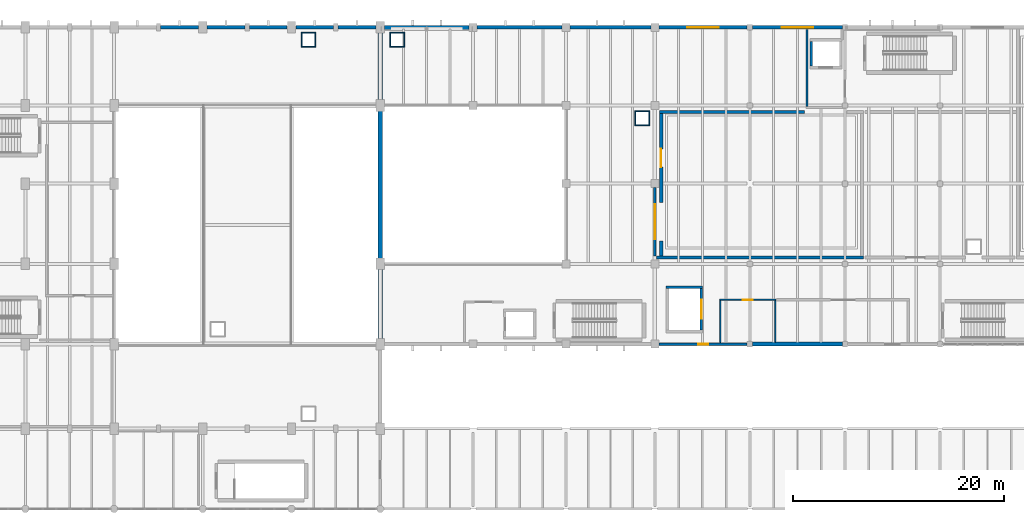
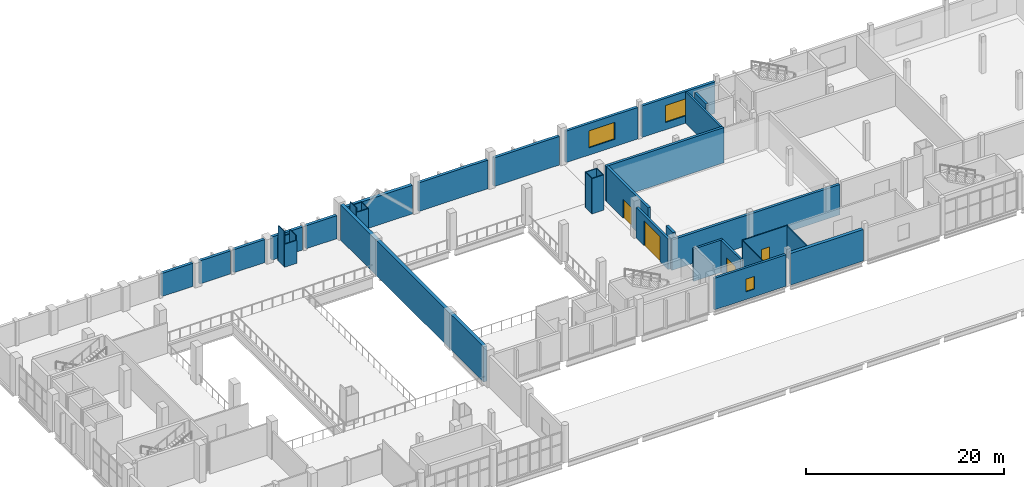
# One storey, part 62 of 74: 37 walls, 4 doors, 3 windows, 7 openings.
"""IFC4 building model written with IfcOpenShell, lengths in metres."""

from ifc_helpers import new_model, si_unit, direction, frame, frame_2d, origin, place, context, subcontext, project, spatial, rectangle, extrude, material, layer, layer_set, type_object, element, fill, save


model = new_model("IFC4")

# Units and contexts
model_context = context("Model", 3, precision=1e-05, world=origin(), true_north=direction((0.0, 1.0)))
body_context = subcontext(model_context, "Body", "Model", "MODEL_VIEW")
ifc_project = project(units=[si_unit("LENGTHUNIT", "METRE"), si_unit("AREAUNIT", "SQUARE_METRE"), si_unit("VOLUMEUNIT", "CUBIC_METRE"), si_unit("PLANEANGLEUNIT", "RADIAN"), si_unit("MASSUNIT", "GRAM", prefix="KILO")], contexts=[model_context])

# Site, building, storey
site_placement = place(None, origin())
site = spatial("IfcSite", under=ifc_project, at=site_placement, CompositionType="ELEMENT")
building_placement = place(site_placement, origin())
building = spatial("IfcBuilding", under=site, at=building_placement, Name="Shengluoqiao Park Theatre", CompositionType="ELEMENT")
storey_placement = place(building_placement, frame((0.0, 0.0, 14.60009765625)))
storey = spatial("IfcBuildingStorey", under=building, at=storey_placement, Name="L03", CompositionType="ELEMENT", Elevation=14.60009765625)

# Wall, opening, window
ifc_material_1 = material(Name="Concrete C40", Category="concrete")
ifc_layer_1 = layer(ifc_material_1, 0.27001953125, Name="Concrete C40")
ifc_layer_set_1 = layer_set([ifc_layer_1], Name="Concrete C40")
wall_type_1 = type_object("IfcWallType", Name="ENV-WL-CONC270", PredefinedType="STANDARD", material=ifc_layer_set_1)
wall_1_placement = place(storey_placement, frame((112.779052734375, 84.0, 0.0), z_axis=(0.0, 0.0, 1.0), x_axis=(1.0, 0.0, 0.0)))
wall_1 = element("IfcWall", 1, at=wall_1_placement, inside=storey, type_object=wall_type_1, Name="L03 Exterior Wall 0242", PredefinedType="STANDARD", context=body_context, shape_type="SweptSolid", body=[
    extrude(rectangle(XDim=8.366943359375, YDim=0.27001953125, at=frame_2d((4.18359375, 0.0))), origin(), (0.0, 0.0, 1.0), 3.89794921875),
])
opening_1_placement = place(wall_1_placement, frame((3.70849609375, 0.0, 0.949951171875)))
opening_1 = element("IfcOpeningElement", 2, at=opening_1_placement, cuts=wall_1, Name="Opening W-08", PredefinedType="OPENING", context=body_context, shape_type="SweptSolid", body=[
    extrude(rectangle(XDim=0.949951171875, YDim=1.550048828125, at=frame_2d((0.47509765625, 0.77490234375))), frame((0.0, 0.14501953125, 0.0), z_axis=(0.0, -1.0, 0.0), x_axis=(1.0, 0.0, 0.0)), (0.0, 0.0, 1.0), 0.2900390625),
])
ifc_material_2 = material(Name="Insulated glass", Category="glass")
window_type_1 = type_object("IfcWindowType", Name="ENV-WIN-W08", PartitioningType="SINGLE_PANEL", PredefinedType="WINDOW", material=ifc_material_2)
window_1_placement = place(opening_1_placement, origin())
window_1 = element("IfcWindow", 3, at=window_1_placement, inside=storey, type_object=window_type_1, Name="L03 Acoustic Window 0085", OverallHeight=1.550048828125, OverallWidth=0.949951171875, PartitioningType="SINGLE_PANEL", PredefinedType="WINDOW", context=body_context, shape_type="SweptSolid", body=[
    extrude(rectangle(XDim=0.949951171875, YDim=1.550048828125, at=frame_2d((0.47509765625, 0.77490234375))), frame((0.0, 0.030029296875, 0.0), z_axis=(0.0, -1.0, 0.0), x_axis=(1.0, 0.0, 0.0)), (0.0, 0.0, 1.0), 0.06005859375),
])
fill(opening_1, window_1)

ifc_layer_2 = layer(ifc_material_1, 0.31005859375, Name="Concrete C40")
ifc_layer_set_2 = layer_set([ifc_layer_2], Name="Concrete C40")
wall_type_2 = type_object("IfcWallType", Name="ENV-WL-CONC310", PredefinedType="STANDARD", material=ifc_layer_set_2)
wall_2_placement = place(storey_placement, frame((112.779052734375, 114.0, 0.0), z_axis=(0.0, 0.0, 1.0), x_axis=(1.0, 0.0, 0.0)))
wall_2 = element("IfcWall", 4, at=wall_2_placement, inside=storey, type_object=wall_type_2, Name="L03 Exterior Wall 0236", PredefinedType="STANDARD", context=body_context, shape_type="SweptSolid", body=[
    extrude(rectangle(XDim=8.366943359375, YDim=0.31005859375, at=frame_2d((4.18359375, 0.0))), origin(), (0.0, 0.0, 1.0), 3.89794921875),
])
opening_2_placement = place(wall_2_placement, frame((2.68359375, 0.0, 0.89990234375)))
opening_2 = element("IfcOpeningElement", 5, at=opening_2_placement, cuts=wall_2, Name="Opening W-13", PredefinedType="OPENING", context=body_context, shape_type="SweptSolid", body=[
    extrude(rectangle(XDim=3.0, YDim=2.10009765625, at=frame_2d((1.5, 1.050048828125))), frame((0.0, 0.1650390625, 0.0), z_axis=(0.0, -1.0, 0.0), x_axis=(1.0, 0.0, 0.0)), (0.0, 0.0, 1.0), 0.330078125),
])
window_type_2 = type_object("IfcWindowType", Name="ENV-WIN-W13", PartitioningType="TRIPLE_PANEL_VERTICAL", PredefinedType="WINDOW", material=ifc_material_2)
window_2_placement = place(opening_2_placement, origin())
window_2 = element("IfcWindow", 6, at=window_2_placement, inside=storey, type_object=window_type_2, Name="L03 Acoustic Window 0080", OverallHeight=2.10009765625, OverallWidth=3.0, PartitioningType="TRIPLE_PANEL_VERTICAL", PredefinedType="WINDOW", context=body_context, shape_type="SweptSolid", body=[
    extrude(rectangle(XDim=3.0, YDim=2.10009765625, at=frame_2d((1.5, 1.050048828125))), frame((0.0, 0.030029296875, 0.0), z_axis=(0.0, -1.0, 0.0), x_axis=(1.0, 0.0, 0.0)), (0.0, 0.0, 1.0), 0.06005859375),
])
fill(opening_2, window_2)

wall_3_placement = place(storey_placement, frame((121.654052734375, 114.0, 0.0), z_axis=(0.0, 0.0, 1.0), x_axis=(1.0, 0.0, 0.0)))
wall_3 = element("IfcWall", 7, at=wall_3_placement, inside=storey, type_object=wall_type_2, Name="L03 Exterior Wall 0237", PredefinedType="STANDARD", context=body_context, shape_type="SweptSolid", body=[
    extrude(rectangle(XDim=8.491943359375, YDim=0.31005859375, at=frame_2d((4.24609375, 0.0))), origin(), (0.0, 0.0, 1.0), 3.89794921875),
])
opening_3_placement = place(wall_3_placement, frame((2.74609375, 0.0, 0.89990234375)))
opening_3 = element("IfcOpeningElement", 8, at=opening_3_placement, cuts=wall_3, Name="Opening W-13", PredefinedType="OPENING", context=body_context, shape_type="SweptSolid", body=[
    extrude(rectangle(XDim=3.0, YDim=2.10009765625, at=frame_2d((1.5, 1.050048828125))), frame((0.0, 0.1650390625, 0.0), z_axis=(0.0, -1.0, 0.0), x_axis=(1.0, 0.0, 0.0)), (0.0, 0.0, 1.0), 0.330078125),
])
window_3_placement = place(opening_3_placement, origin())
window_3 = element("IfcWindow", 9, at=window_3_placement, inside=storey, type_object=window_type_2, Name="L03 Acoustic Window 0081", OverallHeight=2.10009765625, OverallWidth=3.0, PartitioningType="TRIPLE_PANEL_VERTICAL", PredefinedType="WINDOW", context=body_context, shape_type="SweptSolid", body=[
    extrude(rectangle(XDim=3.0, YDim=2.10009765625, at=frame_2d((1.5, 1.050048828125))), frame((0.0, 0.030029296875, 0.0), z_axis=(0.0, -1.0, 0.0), x_axis=(1.0, 0.0, 0.0)), (0.0, 0.0, 1.0), 0.06005859375),
])
fill(opening_3, window_3)

# Walls
ifc_material_3 = material(Name="Concrete C45", Category="concrete")
ifc_layer_3 = layer(ifc_material_3, 0.330078125, Name="Concrete C45")
ifc_layer_set_3 = layer_set([ifc_layer_3], Name="Concrete C45")
wall_type_3 = type_object("IfcWallType", Name="ENV-WL-CONC330", PredefinedType="STANDARD", material=ifc_layer_set_3)
for number, where, z_axis, x_axis, name in (
    (10, (65.60400390625, 114.0, 0.0), (0.0, 0.0, 1.0), (1.0, 0.0, 0.0), "L03 Exterior Wall 0045"),
    (11, (70.00390625, 114.0, 0.0), (0.0, 0.0, 1.0), (1.0, 0.0, 0.0), "L03 Exterior Wall 0046"),
    (12, (74.00390625, 114.0, 0.0), (0.0, 0.0, 1.0), (1.0, 0.0, 0.0), "L03 Exterior Wall 0047"),
    (13, (78.404052734375, 114.0, 0.0), (0.0, 0.0, 1.0), (1.0, 0.0, 0.0), "L03 Exterior Wall 0048"),
    (14, (82.404052734375, 114.0, 0.0), (0.0, 0.0, 1.0), (1.0, 0.0, 0.0), "L03 Exterior Wall 0049"),
):
    element("IfcWall", number, at=place(storey_placement, frame(where, z_axis=z_axis, x_axis=x_axis)), inside=storey, type_object=wall_type_3, Name=name, PredefinedType="STANDARD", context=body_context, shape_type="SweptSolid", body=[
        extrude(rectangle(XDim=3.592041015625, YDim=0.330078125, at=frame_2d((1.7958984375, 0.0))), origin(), (0.0, 0.0, 1.0), 2.847900390625),
    ])
wall_4_placement = place(storey_placement, frame((95.5791015625, 114.0, 0.0), z_axis=(0.0, 0.0, 1.0), x_axis=(1.0, 0.0, 0.0)))
element("IfcWall", 15, at=wall_4_placement, inside=storey, type_object=wall_type_3, Name="L03 Exterior Wall 0072", PredefinedType="STANDARD", context=body_context, shape_type="SweptSolid", body=[
    extrude(rectangle(XDim=8.0419921875, YDim=0.330078125, at=frame_2d((4.02099609375, 0.0))), origin(), (0.0, 0.0, 1.0), 3.537841796875),
])
wall_5_placement = place(storey_placement, frame((104.37890625, 114.0, 0.0), z_axis=(0.0, 0.0, 1.0), x_axis=(1.0, 0.0, 0.0)))
element("IfcWall", 16, at=wall_5_placement, inside=storey, type_object=wall_type_3, Name="L03 Exterior Wall 0073", PredefinedType="STANDARD", context=body_context, shape_type="SweptSolid", body=[
    extrude(rectangle(XDim=7.64208984375, YDim=0.330078125, at=frame_2d((3.821044921875, 0.0))), origin(), (0.0, 0.0, 1.0), 3.537841796875),
])
ifc_layer_4 = layer(ifc_material_3, 0.3798828125, Name="Concrete C45")
ifc_layer_set_4 = layer_set([ifc_layer_4], Name="Concrete C45")
wall_type_4 = type_object("IfcWallType", Name="ENV-WL-CONC380", PredefinedType="STANDARD", material=ifc_layer_set_4)
wall_6_placement = place(storey_placement, frame((86.803955078125, 114.0, 0.0), z_axis=(0.0, 0.0, 1.0), x_axis=(1.0, 0.0, 0.0)))
element("IfcWall", 17, at=wall_6_placement, inside=storey, type_object=wall_type_4, Name="L03 Exterior Wall 0071", PredefinedType="STANDARD", context=body_context, shape_type="SweptSolid", body=[
    extrude(rectangle(XDim=8.01708984375, YDim=0.3798828125, at=frame_2d((4.008544921875, 0.0))), origin(), (0.0, 0.0, 1.0), 3.537841796875),
])
wall_7_placement = place(storey_placement, frame((121.654052734375, 84.0, 0.0), z_axis=(0.0, 0.0, 1.0), x_axis=(1.0, 0.0, 0.0)))
element("IfcWall", 18, at=wall_7_placement, inside=storey, type_object=wall_type_4, Name="L03 Exterior Wall 0243", PredefinedType="STANDARD", context=body_context, shape_type="SweptSolid", body=[
    extrude(rectangle(XDim=8.491943359375, YDim=0.3798828125, at=frame_2d((4.24609375, 0.0))), origin(), (0.0, 0.0, 1.0), 3.89794921875),
])
ifc_material_4 = material(Name="Gypsum acoustic stud", Category="gypsum")
ifc_layer_5 = layer(ifc_material_4, 0.300048828125, Name="Gypsum acoustic stud")
ifc_layer_set_5 = layer_set([ifc_layer_5], Name="Gypsum acoustic stud")
wall_type_5 = type_object("IfcWallType", Name="INT-WL-ACO300", PredefinedType="PARTITIONING", material=ifc_layer_set_5)
wall_8_placement = place(storey_placement, frame((112.5380859375, 92.199951171875, 0.0), z_axis=(0.0, 0.0, 1.0), x_axis=(1.0, 0.0, 0.0)))
element("IfcWall", 19, at=wall_8_placement, inside=storey, type_object=wall_type_5, Name="Full-Stage Rehearsal Room Partition S", PredefinedType="PARTITIONING", context=body_context, shape_type="SweptSolid", body=[
    extrude(rectangle(XDim=19.61181640625, YDim=0.300048828125, at=frame_2d((9.805908203125, 0.0))), origin(), (0.0, 0.0, 1.0), 3.755859375),
])
wall_9_placement = place(storey_placement, frame((112.85009765625, 106.0, 0.0), z_axis=(0.0, 0.0, 1.0), x_axis=(1.0, 0.0, 0.0)))
element("IfcWall", 20, at=wall_9_placement, inside=storey, type_object=wall_type_5, Name="Full-Stage Rehearsal Room Partition N", PredefinedType="PARTITIONING", context=body_context, shape_type="SweptSolid", body=[
    extrude(rectangle(XDim=13.742431640625, YDim=0.300048828125, at=frame_2d((6.87109375, 0.0))), origin(), (0.0, 0.0, 1.0), 4.35986328125),
])
wall_10_placement = place(storey_placement, frame((113.0, 92.35595703125, 0.0), z_axis=(0.0, 0.0, 1.0), x_axis=(0.0, 1.0, 0.0)))
element("IfcWall", 21, at=wall_10_placement, inside=storey, type_object=wall_type_5, Name="Full-Stage Rehearsal Room Partition W", PredefinedType="PARTITIONING", context=body_context, shape_type="SweptSolid", body=[
    extrude(rectangle(XDim=1.43408203125, YDim=0.300048828125, at=frame_2d((0.717041015625, 0.0))), origin(), (0.0, 0.0, 1.0), 4.35986328125),
])

# Wall, opening, door
wall_11_placement = place(storey_placement, frame((113.0, 97.409912109375, 0.0), z_axis=(0.0, 0.0, 1.0), x_axis=(0.0, 1.0, 0.0)))
wall_11 = element("IfcWall", 22, at=wall_11_placement, inside=storey, type_object=wall_type_5, Name="Full-Stage Rehearsal Room Partition W", PredefinedType="PARTITIONING", context=body_context, shape_type="SweptSolid", body=[
    extrude(rectangle(XDim=8.43408203125, YDim=0.300048828125, at=frame_2d((4.217041015625, 0.0))), origin(), (0.0, 0.0, 1.0), 4.35986328125),
])
opening_4_placement = place(wall_11_placement, frame((3.35693359375, 0.0, 0.0)))
opening_4 = element("IfcOpeningElement", 23, at=opening_4_placement, cuts=wall_11, Name="Opening D-L03-079", PredefinedType="OPENING", context=body_context, shape_type="SweptSolid", body=[
    extrude(rectangle(XDim=1.719970703125, YDim=2.3798828125, at=frame_2d((0.85986328125, 1.18994140625))), frame((0.0, 0.159912109375, 0.0), z_axis=(0.0, -1.0, 0.0), x_axis=(1.0, 0.0, 0.0)), (0.0, 0.0, 1.0), 0.320068359375),
])
ifc_material_5 = material(Name="Acoustic timber", Category="wood")
door_type_1 = type_object("IfcDoorType", Name="INT-DR-REH172", OperationType="DOUBLE_DOOR_SINGLE_SWING", PredefinedType="DOOR", material=ifc_material_5)
door_1_placement = place(opening_4_placement, origin())
door_1 = element("IfcDoor", 24, at=door_1_placement, inside=storey, type_object=door_type_1, Name="Full-Stage Rehearsal Room Door D-L03-079", OperationType="DOUBLE_DOOR_SINGLE_SWING", OverallHeight=2.3798828125, OverallWidth=1.719970703125, PredefinedType="DOOR", context=body_context, shape_type="SweptSolid", body=[
    extrude(rectangle(XDim=1.719970703125, YDim=2.3798828125, at=frame_2d((0.85986328125, 1.18994140625))), frame((0.0, 0.02490234375, 0.0), z_axis=(0.0, -1.0, 0.0), x_axis=(1.0, 0.0, 0.0)), (0.0, 0.0, 1.0), 0.050048828125),
])
fill(opening_4, door_1)

# Walls
ifc_material_6 = material(Name="Concrete blockwork B06", Category="masonry")
ifc_layer_6 = layer(ifc_material_6, 0.195068359375, Name="Concrete blockwork B06")
ifc_layer_set_6 = layer_set([ifc_layer_6], Name="Concrete blockwork B06")
wall_type_6 = type_object("IfcWallType", Name="INT-WL-FFL195", PredefinedType="PARTITIONING", material=ifc_layer_set_6)
wall_12_placement = place(storey_placement, frame((126.800048828125, 106.5048828125, 0.0), z_axis=(0.0, 0.0, 1.0), x_axis=(0.0, 1.0, 0.0)))
element("IfcWall", 25, at=wall_12_placement, inside=storey, type_object=wall_type_6, Name="L03 Firefighting Lift Lobby FF2 Fire Wall W", PredefinedType="PARTITIONING", context=body_context, shape_type="SweptSolid", body=[
    extrude(rectangle(XDim=7.275146484375, YDim=0.195068359375, at=frame_2d((3.6376953125, 0.0))), origin(), (0.0, 0.0, 1.0), 3.89794921875),
])
ifc_material_7 = material(Name="Gypsum shaftwall", Category="gypsum")
ifc_layer_7 = layer(ifc_material_7, 0.094970703125, Name="Gypsum shaftwall")
ifc_layer_set_7 = layer_set([ifc_layer_7], Name="Gypsum shaftwall")
wall_type_7 = type_object("IfcWallType", Name="INT-WL-RSR095", PredefinedType="PARTITIONING", material=ifc_layer_set_7)
for number, where, z_axis, x_axis, name in (
    (26, (78.905029296875, 112.14990234375, 0.0), (0.0, 0.0, 1.0), (1.0, 0.0, 0.0), "L03 Service Riser Shaftwall 145"),
    (27, (78.905029296875, 113.469970703125, 0.0), (0.0, 0.0, 1.0), (1.0, 0.0, 0.0), "L03 Service Riser Shaftwall 146"),
):
    element("IfcWall", number, at=place(storey_placement, frame(where, z_axis=z_axis, x_axis=x_axis)), inside=storey, type_object=wall_type_7, Name=name, PredefinedType="PARTITIONING", context=body_context, shape_type="SweptSolid", body=[
        extrude(rectangle(XDim=1.409912109375, YDim=0.094970703125, at=frame_2d((0.705078125, 0.0))), origin(), (0.0, 0.0, 1.0), 2.847900390625),
    ])
wall_13_placement = place(storey_placement, frame((78.949951171875, 112.205078125, 0.0), z_axis=(0.0, 0.0, 1.0), x_axis=(0.0, 1.0, 0.0)))
element("IfcWall", 28, at=wall_13_placement, inside=storey, type_object=wall_type_7, Name="L03 Service Riser Shaftwall 147", PredefinedType="PARTITIONING", context=body_context, shape_type="SweptSolid", body=[
    extrude(rectangle(XDim=1.2099609375, YDim=0.094970703125, at=frame_2d((0.60498046875, 0.0))), origin(), (0.0, 0.0, 1.0), 4.35986328125),
])
wall_14_placement = place(storey_placement, frame((80.27001953125, 112.205078125, 0.0), z_axis=(0.0, 0.0, 1.0), x_axis=(0.0, 1.0, 0.0)))
element("IfcWall", 29, at=wall_14_placement, inside=storey, type_object=wall_type_7, Name="L03 Service Riser Shaftwall 148", PredefinedType="PARTITIONING", context=body_context, shape_type="SweptSolid", body=[
    extrude(rectangle(XDim=1.2099609375, YDim=0.094970703125, at=frame_2d((0.60498046875, 0.0))), origin(), (0.0, 0.0, 1.0), 3.432861328125),
])
for number, where, z_axis, x_axis, name in (
    (30, (87.304931640625, 112.14990234375, 0.0), (0.0, 0.0, 1.0), (1.0, 0.0, 0.0), "L03 Service Riser Shaftwall 149"),
    (31, (87.304931640625, 113.469970703125, 0.0), (0.0, 0.0, 1.0), (1.0, 0.0, 0.0), "L03 Service Riser Shaftwall 150"),
):
    element("IfcWall", number, at=place(storey_placement, frame(where, z_axis=z_axis, x_axis=x_axis)), inside=storey, type_object=wall_type_7, Name=name, PredefinedType="PARTITIONING", context=body_context, shape_type="SweptSolid", body=[
        extrude(rectangle(XDim=1.41015625, YDim=0.094970703125, at=frame_2d((0.705078125, 0.0))), origin(), (0.0, 0.0, 1.0), 3.837890625),
    ])
wall_15_placement = place(storey_placement, frame((87.35009765625, 112.205078125, 0.0), z_axis=(0.0, 0.0, 1.0), x_axis=(0.0, 1.0, 0.0)))
element("IfcWall", 32, at=wall_15_placement, inside=storey, type_object=wall_type_7, Name="L03 Service Riser Shaftwall 151", PredefinedType="PARTITIONING", context=body_context, shape_type="SweptSolid", body=[
    extrude(rectangle(XDim=1.2099609375, YDim=0.094970703125, at=frame_2d((0.60498046875, 0.0))), origin(), (0.0, 0.0, 1.0), 4.35986328125),
])
wall_16_placement = place(storey_placement, frame((88.669921875, 112.205078125, 0.0), z_axis=(0.0, 0.0, 1.0), x_axis=(0.0, 1.0, 0.0)))
element("IfcWall", 33, at=wall_16_placement, inside=storey, type_object=wall_type_7, Name="L03 Service Riser Shaftwall 152", PredefinedType="PARTITIONING", context=body_context, shape_type="SweptSolid", body=[
    extrude(rectangle(XDim=1.2099609375, YDim=0.094970703125, at=frame_2d((0.60498046875, 0.0))), origin(), (0.0, 0.0, 1.0), 3.837890625),
])
for number, where, z_axis, x_axis, name in (
    (34, (110.5048828125, 104.75, 0.0), (0.0, 0.0, 1.0), (1.0, 0.0, 0.0), "L03 Service Riser Shaftwall 153"),
    (35, (110.5048828125, 106.070068359375, 0.0), (0.0, 0.0, 1.0), (1.0, 0.0, 0.0), "L03 Service Riser Shaftwall 154"),
):
    element("IfcWall", number, at=place(storey_placement, frame(where, z_axis=z_axis, x_axis=x_axis)), inside=storey, type_object=wall_type_7, Name=name, PredefinedType="PARTITIONING", context=body_context, shape_type="SweptSolid", body=[
        extrude(rectangle(XDim=1.41015625, YDim=0.094970703125, at=frame_2d((0.705078125, 0.0))), origin(), (0.0, 0.0, 1.0), 4.35986328125),
    ])
for number, where, z_axis, x_axis, name in (
    (36, (110.550048828125, 104.804931640625, 0.0), (0.0, 0.0, 1.0), (0.0, 1.0, 0.0), "L03 Service Riser Shaftwall 155"),
    (37, (111.8701171875, 104.804931640625, 0.0), (0.0, 0.0, 1.0), (0.0, 1.0, 0.0), "L03 Service Riser Shaftwall 156"),
):
    element("IfcWall", number, at=place(storey_placement, frame(where, z_axis=z_axis, x_axis=x_axis)), inside=storey, type_object=wall_type_7, Name=name, PredefinedType="PARTITIONING", context=body_context, shape_type="SweptSolid", body=[
        extrude(rectangle(XDim=1.2099609375, YDim=0.094970703125, at=frame_2d((0.60498046875, 0.0))), origin(), (0.0, 0.0, 1.0), 4.35986328125),
    ])
ifc_layer_8 = layer(ifc_material_1, 0.260009765625, Name="Concrete C40")
ifc_layer_set_8 = layer_set([ifc_layer_8], Name="Concrete C40")
wall_type_8 = type_object("IfcWallType", Name="INT-WL-SHF260", PredefinedType="STANDARD", material=ifc_layer_set_8)
wall_17_placement = place(storey_placement, frame((127.199951171875, 110.3359375, 0.0), z_axis=(0.0, 0.0, 1.0), x_axis=(0.0, 1.0, 0.0)))
element("IfcWall", 38, at=wall_17_placement, inside=storey, type_object=wall_type_8, Name="L03 FF2 Lift Shaft Wall West", PredefinedType="STANDARD", context=body_context, shape_type="SweptSolid", body=[
    extrude(rectangle(XDim=2.328125, YDim=0.260009765625, at=frame_2d((1.1640625, 0.0))), origin(), (0.0, 0.0, 1.0), 4.35986328125),
])
wall_18_placement = place(storey_placement, frame((113.469970703125, 89.39990234375, 0.0), z_axis=(0.0, 0.0, 1.0), x_axis=(1.0, 0.0, 0.0)))
element("IfcWall", 39, at=wall_18_placement, inside=storey, type_object=wall_type_8, Name="L03 FL1 Lift Shaft Wall North", PredefinedType="STANDARD", context=body_context, shape_type="SweptSolid", body=[
    extrude(rectangle(XDim=3.4599609375, YDim=0.260009765625, at=frame_2d((1.72998046875, 0.0))), origin(), (0.0, 0.0, 1.0), 3.98779296875),
])

# Wall, opening, door
wall_19_placement = place(storey_placement, frame((116.800048828125, 85.3359375, 0.0), z_axis=(0.0, 0.0, 1.0), x_axis=(0.0, 1.0, 0.0)))
wall_19 = element("IfcWall", 40, at=wall_19_placement, inside=storey, type_object=wall_type_8, Name="L03 FL1 Lift Shaft Wall East", PredefinedType="STANDARD", context=body_context, shape_type="SweptSolid", body=[
    extrude(rectangle(XDim=3.927978515625, YDim=0.260009765625, at=frame_2d((1.9638671875, 0.0))), origin(), (0.0, 0.0, 1.0), 3.98779296875),
])
opening_5_placement = place(wall_19_placement, frame((1.053955078125, 0.0, 0.0)))
opening_5 = element("IfcOpeningElement", 41, at=opening_5_placement, cuts=wall_19, Name="Opening LD-FL1-L03", PredefinedType="OPENING", context=body_context, shape_type="SweptSolid", body=[
    extrude(rectangle(XDim=1.820068359375, YDim=2.5, at=frame_2d((0.91015625, 1.25))), frame((0.0, 0.139892578125, 0.0), z_axis=(0.0, -1.0, 0.0), x_axis=(1.0, 0.0, 0.0)), (0.0, 0.0, 1.0), 0.280029296875),
])
ifc_material_8 = material(Name="Stainless steel 304", Category="steel")
door_type_2 = type_object("IfcDoorType", Name="INT-DR-LD182", OperationType="SLIDING_TO_LEFT", PredefinedType="DOOR", material=ifc_material_8)
door_2_placement = place(opening_5_placement, origin())
door_2 = element("IfcDoor", 42, at=door_2_placement, inside=storey, type_object=door_type_2, Name="FL1 Lift Landing Door LD-FL1-L03", OperationType="SLIDING_TO_LEFT", OverallHeight=2.5, OverallWidth=1.820068359375, PredefinedType="DOOR", context=body_context, shape_type="SweptSolid", body=[
    extrude(rectangle(XDim=1.820068359375, YDim=2.5, at=frame_2d((0.91015625, 1.25))), frame((0.0, 0.02490234375, 0.0), z_axis=(0.0, -1.0, 0.0), x_axis=(1.0, 0.0, 0.0)), (0.0, 0.0, 1.0), 0.050048828125),
])
fill(opening_5, door_2)

wall_20_placement = place(storey_placement, frame((112.39990234375, 92.360107421875, 0.0), z_axis=(0.0, 0.0, 1.0), x_axis=(0.0, 1.0, 0.0)))
wall_20 = element("IfcWall", 43, at=wall_20_placement, inside=storey, type_object=wall_type_8, Name="L03 Acoustic Stage-Dock Wall 02", PredefinedType="STANDARD", context=body_context, shape_type="SweptSolid", body=[
    extrude(rectangle(XDim=6.47998046875, YDim=0.260009765625, at=frame_2d((3.239990234375, 0.0))), origin(), (0.0, 0.0, 1.0), 3.755859375),
])
opening_6_placement = place(wall_20_placement, frame((1.590087890625, 0.0, 0.0)))
opening_6 = element("IfcOpeningElement", 44, at=opening_6_placement, cuts=wall_20, Name="Opening SG-INT-02", PredefinedType="OPENING", context=body_context, shape_type="SweptSolid", body=[
    extrude(rectangle(XDim=3.300048828125, YDim=3.10009765625, at=frame_2d((1.64990234375, 1.550048828125))), frame((0.0, 0.139892578125, 0.0), z_axis=(0.0, -1.0, 0.0), x_axis=(1.0, 0.0, 0.0)), (0.0, 0.0, 1.0), 0.280029296875),
])
ifc_material_9 = material(Name="Steel Q355", Category="steel")
door_type_3 = type_object("IfcDoorType", Name="INT-GT-STG330", OperationType="DOUBLE_DOOR_SINGLE_SWING", PredefinedType="GATE", material=ifc_material_9)
door_3_placement = place(opening_6_placement, origin())
door_3 = element("IfcDoor", 45, at=door_3_placement, inside=storey, type_object=door_type_3, Name="L03 Acoustic Scenery Transfer Gate SG-INT-02", OperationType="DOUBLE_DOOR_SINGLE_SWING", OverallHeight=3.10009765625, OverallWidth=3.300048828125, PredefinedType="GATE", context=body_context, shape_type="SweptSolid", body=[
    extrude(rectangle(XDim=3.300048828125, YDim=3.10009765625, at=frame_2d((1.64990234375, 1.550048828125))), frame((0.0, 0.02490234375, 0.0), z_axis=(0.0, -1.0, 0.0), x_axis=(1.0, 0.0, 0.0)), (0.0, 0.0, 1.0), 0.050048828125),
])
fill(opening_6, door_3)

ifc_material_10 = material(Name="Moisture-resistant board")
ifc_layer_9 = layer(ifc_material_10, 0.114990234375, Name="Moisture-resistant board")
ifc_layer_set_9 = layer_set([ifc_layer_9], Name="Moisture-resistant board")
wall_type_9 = type_object("IfcWallType", Name="INT-WL-WCP115", PredefinedType="PARTITIONING", material=ifc_layer_set_9)
wall_21_placement = place(storey_placement, frame((118.54248046875, 88.199951171875, 0.0), z_axis=(0.0, 0.0, 1.0), x_axis=(1.0, 0.0, 0.0)))
wall_21 = element("IfcWall", 46, at=wall_21_placement, inside=storey, type_object=wall_type_9, Name="Third Floor Rehearsal Staff WC Partition N", PredefinedType="PARTITIONING", context=body_context, shape_type="SweptSolid", body=[
    extrude(rectangle(XDim=5.31494140625, YDim=0.114990234375, at=frame_2d((2.657470703125, 0.0))), origin(), (0.0, 0.0, 1.0), 3.98779296875),
])
opening_7_placement = place(wall_21_placement, frame((2.177490234375, 0.0, 0.0)))
opening_7 = element("IfcOpeningElement", 47, at=opening_7_placement, cuts=wall_21, Name="Opening D-L03-078", PredefinedType="OPENING", context=body_context, shape_type="SweptSolid", body=[
    extrude(rectangle(XDim=0.9599609375, YDim=2.080078125, at=frame_2d((0.47998046875, 1.0400390625))), frame((0.0, 0.0673828125, 0.0), z_axis=(0.0, -1.0, 0.0), x_axis=(1.0, 0.0, 0.0)), (0.0, 0.0, 1.0), 0.135009765625),
])
ifc_material_11 = material(Name="Moisture-resistant laminate")
door_type_4 = type_object("IfcDoorType", Name="INT-DR-ACC096", OperationType="NOTDEFINED", PredefinedType="DOOR", material=ifc_material_11)
door_4_placement = place(opening_7_placement, origin())
door_4 = element("IfcDoor", 48, at=door_4_placement, inside=storey, type_object=door_type_4, Name="Third Floor Rehearsal Staff WC Door D-L03-078", OperationType="SINGLE_SWING_RIGHT", OverallHeight=2.080078125, OverallWidth=0.9599609375, PredefinedType="DOOR", context=body_context, shape_type="SweptSolid", body=[
    extrude(rectangle(XDim=0.9599609375, YDim=2.080078125, at=frame_2d((0.47998046875, 1.0400390625))), frame((0.0, 0.02490234375, 0.0), z_axis=(0.0, -1.0, 0.0), x_axis=(1.0, 0.0, 0.0)), (0.0, 0.0, 1.0), 0.050048828125),
])
fill(opening_7, door_4)

# Walls
wall_22_placement = place(storey_placement, frame((123.800048828125, 84.197998046875, 0.0), z_axis=(0.0, 0.0, 1.0), x_axis=(0.0, 1.0, 0.0)))
element("IfcWall", 49, at=wall_22_placement, inside=storey, type_object=wall_type_9, Name="Third Floor Rehearsal Staff WC Partition E", PredefinedType="PARTITIONING", context=body_context, shape_type="SweptSolid", body=[
    extrude(rectangle(XDim=3.9384765625, YDim=0.114990234375, at=frame_2d((1.96923828125, 0.0))), origin(), (0.0, 0.0, 1.0), 3.89794921875),
])
wall_23_placement = place(storey_placement, frame((118.60009765625, 84.14306640625, 0.0), z_axis=(0.0, 0.0, 1.0), x_axis=(0.0, 1.0, 0.0)))
element("IfcWall", 50, at=wall_23_placement, inside=storey, type_object=wall_type_9, Name="Third Floor Rehearsal Staff WC Partition W", PredefinedType="PARTITIONING", context=body_context, shape_type="SweptSolid", body=[
    extrude(rectangle(XDim=3.993408203125, YDim=0.114990234375, at=frame_2d((1.99658203125, 0.0))), origin(), (0.0, 0.0, 1.0), 3.89794921875),
])
ifc_material_12 = material(Name="Concrete C50", Category="concrete")
ifc_layer_10 = layer(ifc_material_12, 0.39990234375, Name="Concrete C50")
ifc_layer_set_10 = layer_set([ifc_layer_10], Name="Concrete C50")
wall_type_10 = type_object("IfcWallType", Name="STR-SW-PROSC400", PredefinedType="SHEAR", material=ifc_layer_set_10)
wall_24_placement = place(storey_placement, frame((86.39990234375, 84.5, 0.0), z_axis=(0.0, 0.0, 1.0), x_axis=(0.0, 1.0, 0.0)))
element("IfcWall", 51, at=wall_24_placement, inside=storey, type_object=wall_type_10, Name="L03 Proscenium Fire Wall 0022", PredefinedType="SHEAR", context=body_context, shape_type="SweptSolid", body=[
    extrude(rectangle(XDim=29.0, YDim=0.39990234375, at=frame_2d((14.5, 0.0))), origin(), (0.0, 0.0, 1.0), 4.35986328125),
])

save(model, "model.ifc")
